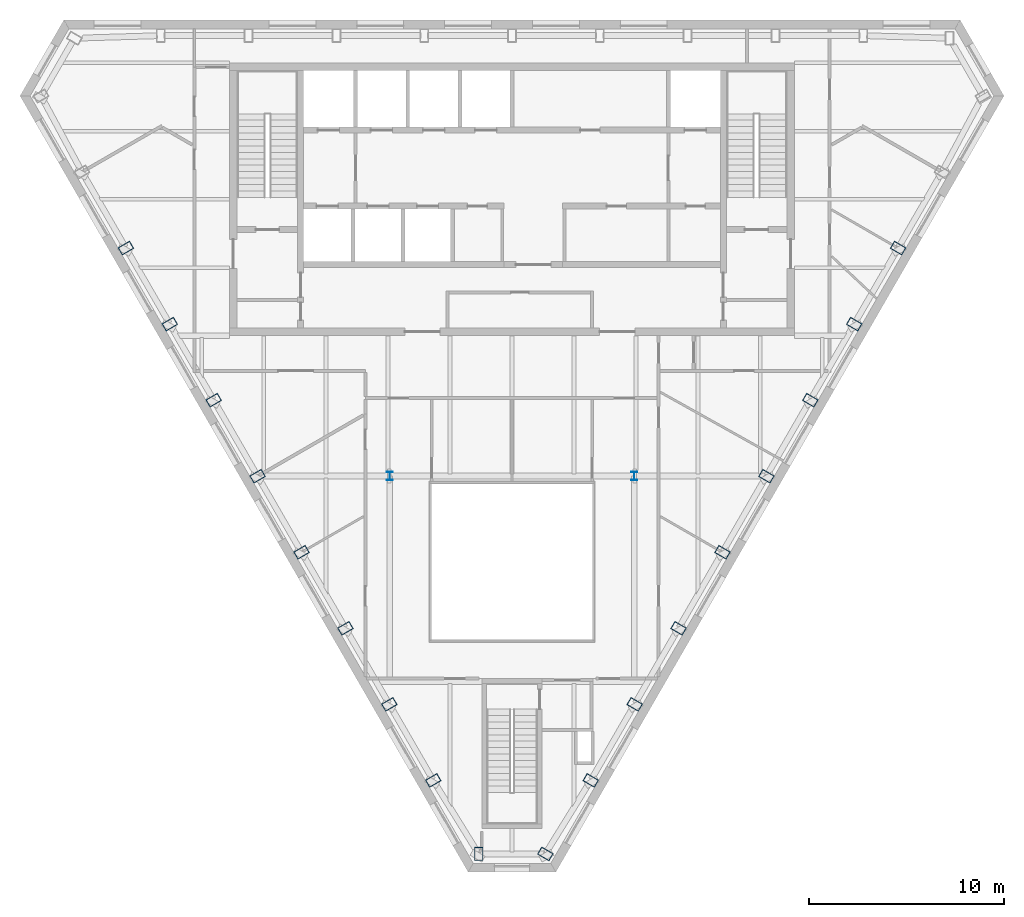
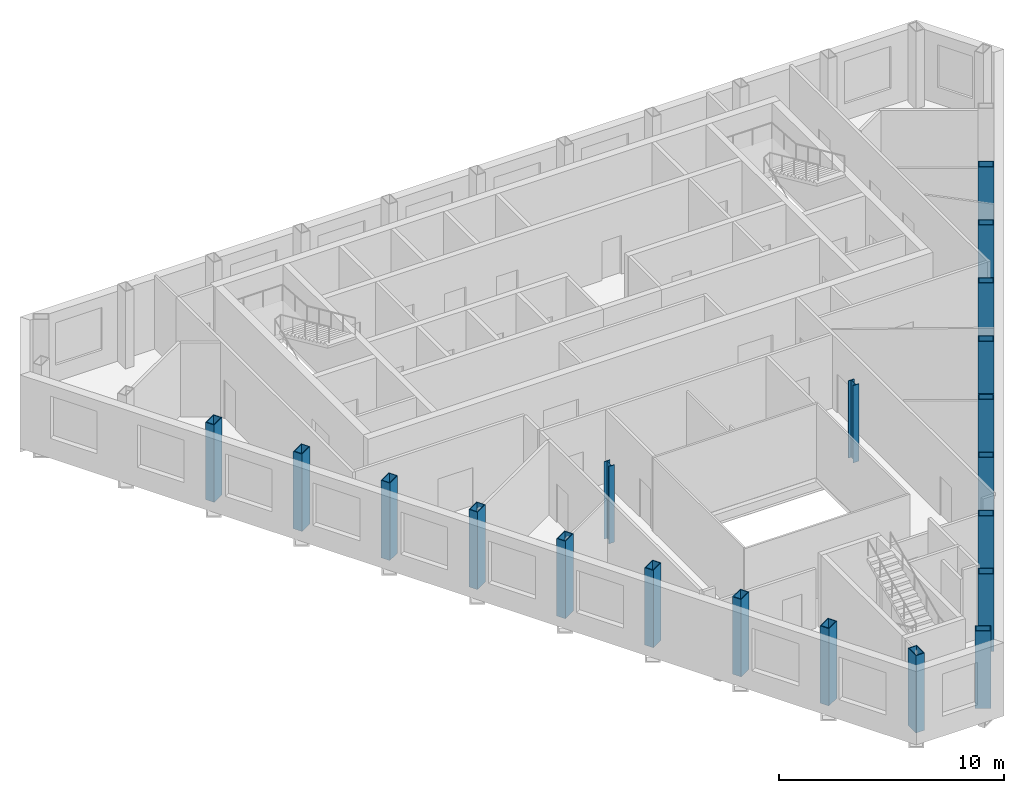
# One storey, part 1 of 11: 20 columns.
"""IFC4 building model written with IfcOpenShell, lengths in metres."""

import ifcopenshell
import ifcopenshell.guid

model = None  # the IFC model being written
_history = None  # IfcOwnerHistory: only IFC2X3 demands one
_inside = {}  # id of a spatial element -> (the spatial element, [elements in it])
_under = {}  # id of a project, library or spatial element -> (it, [spatial elements below it])
_declared = {}  # id of a project -> (the project, [libraries it declares])
_typed = {}  # id of a type object -> (the type object, [elements of that type])
_made_of = {}  # id of a material, layer set ... -> (it, [elements and type objects made of it])


def new_model(schema):
    """Start an empty IFC model of exactly this schema.

    Asked for "IFC4X3", IfcOpenShell would pick the latest addendum, in which some entities
    have other attributes; the version numbers below select the first issue.
    IFC2X3 requires an IfcOwnerHistory on every rooted entity: one is made here for all.
    """
    global model, _history
    if schema == "IFC4X3":
        model = ifcopenshell.file(schema_version=(4, 3, 0, 0))
    else:
        model = ifcopenshell.file(schema=schema)
    _inside.clear()
    _under.clear()
    _declared.clear()
    _typed.clear()
    _made_of.clear()
    _history = None
    if model.schema == "IFC2X3":
        org = make("IfcOrganization", Name="unknown")
        user = make(
            "IfcPersonAndOrganization",
            ThePerson=make("IfcPerson", FamilyName="unknown"),
            TheOrganization=org,
        )
        app = make(
            "IfcApplication",
            ApplicationDeveloper=org,
            Version="unknown",
            ApplicationFullName="unknown",
            ApplicationIdentifier="unknown",
        )
        _history = make(
            "IfcOwnerHistory",
            OwningUser=user,
            OwningApplication=app,
            ChangeAction="ADDED",
            CreationDate=0,
        )
    return model


def make(cls, **values):
    """One entity of the class cls with the attributes given. An attribute that is None is left unset."""
    return model.create_entity(
        cls, **{name: value for name, value in values.items() if value is not None}
    )


def rooted(cls, **values):
    """An entity with a GlobalId (a new one), such as an element, a storey or a relation."""
    return make(cls, GlobalId=ifcopenshell.guid.new(), OwnerHistory=_history, **values)


def si_unit(unit_type, name, prefix=None):
    """IfcSIUnit, for example si_unit("LENGTHUNIT", "METRE", prefix="MILLI")."""
    return make("IfcSIUnit", UnitType=unit_type, Prefix=prefix, Name=name)


def assignment(units):
    """IfcUnitAssignment: the units of a project."""
    return None if units is None else make("IfcUnitAssignment", Units=units)


def point(xyz):
    """IfcCartesianPoint."""
    return None if xyz is None else make("IfcCartesianPoint", Coordinates=xyz)


def direction(xyz):
    """IfcDirection."""
    return None if xyz is None else make("IfcDirection", DirectionRatios=xyz)


def frame(location, z_axis=None, x_axis=None):
    """IfcAxis2Placement3D, a coordinate frame: its origin and axes. An axis left out is left unset."""
    return make(
        "IfcAxis2Placement3D",
        Location=point(location),
        Axis=direction(z_axis),
        RefDirection=direction(x_axis),
    )


def frame_2d(location, x_axis=None):
    """IfcAxis2Placement2D, a coordinate frame in the plane: its origin and x axis."""
    return make(
        "IfcAxis2Placement2D", Location=point(location), RefDirection=direction(x_axis)
    )


def origin():
    """The frame at (0, 0, 0) with its axes left unset."""
    return frame((0.0, 0.0, 0.0))


def origin_2d():
    """The frame at (0, 0) in the plane with its x axis left unset."""
    return frame_2d((0.0, 0.0))


def place(relative_to, where):
    """IfcLocalPlacement: puts the frame where relative to a parent placement (None: the world)."""
    return make(
        "IfcLocalPlacement", PlacementRelTo=relative_to, RelativePlacement=where
    )


def context(
    kind, dimensions, precision=None, world=None, true_north=None, identifier=None
):
    """IfcGeometricRepresentationContext, for example the 3D "Model" context."""
    return make(
        "IfcGeometricRepresentationContext",
        ContextIdentifier=identifier,
        ContextType=kind,
        CoordinateSpaceDimension=dimensions,
        Precision=precision,
        WorldCoordinateSystem=world,
        TrueNorth=true_north,
    )


def subcontext(parent, identifier, kind, view, scale=None):
    """IfcGeometricRepresentationSubContext, for example "Body" below "Model"."""
    return make(
        "IfcGeometricRepresentationSubContext",
        ContextIdentifier=identifier,
        ContextType=kind,
        ParentContext=parent,
        TargetScale=scale,
        TargetView=view,
    )


def project(units=None, contexts=None):
    """IfcProject with its units and contexts."""
    return rooted(
        "IfcProject",
        Name="project",
        RepresentationContexts=contexts,
        UnitsInContext=assignment(units),
    )


def spatial(cls, under=None, at=None, **own):
    """A site, building, storey or space (cls), placed at a placement, below another one or the project."""
    s = rooted(cls, ObjectPlacement=at, **own)
    if under is not None:
        _under.setdefault(under.id(), (under, []))[1].append(s)
    return s


def profile(cls, at=None, kind="AREA", **sizes):
    """A parametric profile (cls). Its sizes go by their IFC names, for example OverallWidth=200.0."""
    return make(cls, ProfileType=kind, Position=at, **sizes)


def hollow_rectangle(**sizes):
    """IfcRectangleHollowProfileDef."""
    return profile("IfcRectangleHollowProfileDef", **sizes)


def i_section(**sizes):
    """IfcIShapeProfileDef."""
    return profile("IfcIShapeProfileDef", **sizes)


def extrude(swept, where, along, depth):
    """IfcExtrudedAreaSolid: the profile swept, set in the frame where, extruded along a direction by depth."""
    return make(
        "IfcExtrudedAreaSolid",
        SweptArea=swept,
        Position=where,
        ExtrudedDirection=direction(along),
        Depth=depth,
    )


def shape(context_of_items, identifier, shape_type, items):
    """IfcShapeRepresentation: the items that make up one representation, for example the "Body"."""
    return make(
        "IfcShapeRepresentation",
        ContextOfItems=context_of_items,
        RepresentationIdentifier=identifier,
        RepresentationType=shape_type,
        Items=items,
    )


def material(Name=None, Category=None):
    """IfcMaterial."""
    return make("IfcMaterial", Name=Name, Category=Category)


def material_profile(
    of_material, cross_section, Name=None, Category=None, Priority=None
):
    """IfcMaterialProfile: a cross section and its material."""
    return make(
        "IfcMaterialProfile",
        Name=Name,
        Material=of_material,
        Profile=cross_section,
        Priority=Priority,
        Category=Category,
    )


def profile_set(profiles, Name=None, composite=None):
    """IfcMaterialProfileSet."""
    return make(
        "IfcMaterialProfileSet",
        Name=Name,
        MaterialProfiles=profiles,
        CompositeProfile=composite,
    )


def made_of(thing, what):
    """Note that an element or type object is made of a material, layer set ...; save() writes the relation."""
    if what is not None:
        _made_of.setdefault(what.id(), (what, []))[1].append(thing)
    return thing


def type_object(cls, material=None, **own):
    """A type object (cls), such as IfcWallType, which elements share."""
    return made_of(rooted(cls, **own), material)


def element(
    cls,
    number,
    at=None,
    inside=None,
    cuts=None,
    type_object=None,
    material=None,
    context=None,
    identifier="Body",
    shape_type=None,
    held_by="IfcProductDefinitionShape",
    body=None,
    shapes=None,
    **own,
):
    """One element of the class cls, such as IfcWall. Its Tag is "e" and its number.

    at: its placement. inside: the storey or other place that contains it. cuts: it is an
    opening in that element (IfcRelVoidsElement). A single representation is given by context,
    identifier, shape_type and body (its items); several are given by shapes. held_by: the class
    of the entity that holds the representations. save() writes the other relations.
    """
    e = rooted(cls, Tag="e%d" % number, ObjectPlacement=at, **own)
    if body is not None:
        shapes = [shape(context, identifier, shape_type, body)]
    if shapes is not None:
        e.Representation = make(held_by, Representations=shapes)
    if inside is not None:
        _inside.setdefault(inside.id(), (inside, []))[1].append(e)
    if cuts is not None:
        rooted(
            "IfcRelVoidsElement", RelatingBuildingElement=cuts, RelatedOpeningElement=e
        )
    if type_object is not None:
        _typed.setdefault(type_object.id(), (type_object, []))[1].append(e)
    return made_of(e, material)


def aggregate(whole, parts):
    """IfcRelAggregates: a whole, such as a stair, and the parts it consists of."""
    return rooted("IfcRelAggregates", RelatingObject=whole, RelatedObjects=parts)


def save(model, path):
    """Write the relations noted so far, then the file.

    IfcRelAggregates (storeys below a building ...), IfcRelContainedInSpatialStructure (elements
    in a storey), IfcRelDefinesByType, IfcRelAssociatesMaterial and IfcRelDeclares: one each for
    every whole, place, type object, material and project.
    """
    for whole, parts in _under.values():
        aggregate(whole, parts)
    for where, things in _inside.values():
        rooted(
            "IfcRelContainedInSpatialStructure",
            RelatedElements=things,
            RelatingStructure=where,
        )
    for kind, things in _typed.values():
        rooted("IfcRelDefinesByType", RelatedObjects=things, RelatingType=kind)
    for what, things in _made_of.values():
        rooted("IfcRelAssociatesMaterial", RelatedObjects=things, RelatingMaterial=what)
    for by, libraries in _declared.values():
        rooted("IfcRelDeclares", RelatingContext=by, RelatedDefinitions=libraries)
    model.write(path)


model = new_model("IFC4")

# Units and contexts
model_context = context("Model", 3, precision=1e-05, world=origin(), true_north=direction((0.0, 1.0)))
body_context = subcontext(model_context, "Body", "Model", "MODEL_VIEW")
ifc_project = project(units=[si_unit("LENGTHUNIT", "METRE"), si_unit("AREAUNIT", "SQUARE_METRE"), si_unit("VOLUMEUNIT", "CUBIC_METRE"), si_unit("PLANEANGLEUNIT", "RADIAN"), si_unit("MASSUNIT", "GRAM", prefix="KILO")], contexts=[model_context])

# Site, building, storey
site_placement = place(None, origin())
site = spatial("IfcSite", under=ifc_project, at=site_placement, CompositionType="ELEMENT")
building_placement = place(site_placement, origin())
building = spatial("IfcBuilding", under=site, at=building_placement, Name="Njiva Tower", CompositionType="ELEMENT")
storey_placement = place(building_placement, frame((0.0, 0.0, 312.6)))
storey = spatial("IfcBuildingStorey", under=building, at=storey_placement, Name="L71", CompositionType="ELEMENT", Elevation=312.6)

# Columns
ifc_material = material(Name="Steel S355 J2", Category="steel")
ifc_material_profile_1 = material_profile(ifc_material, hollow_rectangle(XDim=0.45, YDim=0.7, WallThickness=0.04, at=origin_2d()), Name="BOX 700x450x40")
ifc_profile_set_1 = profile_set([ifc_material_profile_1], Name="Steel S355 J2")
column_type_1 = type_object("IfcColumnType", Name="C15 Perimeter tube column BOX 700x450x40", PredefinedType="COLUMN", material=ifc_profile_set_1)
for number, where, z_axis, x_axis, name in (
    (1, (-19.815, 8.497, 0.0), (0.0, 0.0, 1.0), (0.5, -0.866025403784, 0.0), "Perimeter tube column S24-C14"),
    (2, (-17.561, 4.594, 0.0), (0.0, 0.0, 1.0), (0.5, -0.866025403784, 0.0), "Perimeter tube column S24-C15"),
    (3, (-15.308, 0.691, 0.0), (0.0, 0.0, 1.0), (0.5, -0.866025403784, 0.0), "Perimeter tube column S24-C16"),
    (4, (-13.055, -3.211, 0.0), (0.0, 0.0, 1.0), (0.5, -0.866025403784, 0.0), "Perimeter tube column S24-C17"),
    (5, (-10.801, -7.114, 0.0), (0.0, 0.0, 1.0), (0.5, -0.866025403784, 0.0), "Perimeter tube column S24-C18"),
    (6, (-8.548, -11.017, 0.0), (0.0, 0.0, 1.0), (0.5, -0.866025403784, 0.0), "Perimeter tube column S24-C19"),
    (7, (-6.295, -14.92, 0.0), (0.0, 0.0, 1.0), (0.5, -0.866025403784, 0.0), "Perimeter tube column S24-C20"),
    (8, (-4.041, -18.823, 0.0), (0.0, 0.0, 1.0), (0.5, -0.866025403784, 0.0), "Perimeter tube column S24-C21"),
    (9, (-1.711, -22.593, 0.0), (0.0, 0.0, 1.0), (1.0, 0.0, 0.0), "Perimeter tube column S24-C22"),
    (10, (1.711, -22.593, 0.0), (0.0, 0.0, 1.0), (0.5, 0.866025403784, 0.0), "Perimeter tube column S24-C23"),
    (11, (4.041, -18.823, 0.0), (0.0, 0.0, 1.0), (0.5, 0.866025403784, 0.0), "Perimeter tube column S24-C24"),
    (12, (6.295, -14.92, 0.0), (0.0, 0.0, 1.0), (0.5, 0.866025403784, 0.0), "Perimeter tube column S24-C25"),
    (13, (8.548, -11.017, 0.0), (0.0, 0.0, 1.0), (0.5, 0.866025403784, 0.0), "Perimeter tube column S24-C26"),
    (14, (10.801, -7.114, 0.0), (0.0, 0.0, 1.0), (0.5, 0.866025403784, 0.0), "Perimeter tube column S24-C27"),
    (15, (13.055, -3.211, 0.0), (0.0, 0.0, 1.0), (0.5, 0.866025403784, 0.0), "Perimeter tube column S24-C28"),
    (16, (15.308, 0.691, 0.0), (0.0, 0.0, 1.0), (0.5, 0.866025403784, 0.0), "Perimeter tube column S24-C29"),
    (17, (17.561, 4.594, 0.0), (0.0, 0.0, 1.0), (0.5, 0.866025403784, 0.0), "Perimeter tube column S24-C30"),
    (18, (19.815, 8.497, 0.0), (0.0, 0.0, 1.0), (0.5, 0.866025403784, 0.0), "Perimeter tube column S24-C31"),
):
    element("IfcColumn", number, at=place(storey_placement, frame(where, z_axis=z_axis, x_axis=x_axis)), inside=storey, type_object=column_type_1, Name=name, PredefinedType="COLUMN", context=body_context, shape_type="SweptSolid", body=[
        extrude(hollow_rectangle(XDim=0.45, YDim=0.7, WallThickness=0.04, at=origin_2d()), origin(), (0.0, 0.0, 1.0), 4.2),
    ])
ifc_material_profile_2 = material_profile(ifc_material, i_section(OverallWidth=0.3, OverallDepth=0.45, WebThickness=0.014, FlangeThickness=0.026, at=origin_2d()), Name="HEB 450")
ifc_profile_set_2 = profile_set([ifc_material_profile_2], Name="Steel S355 J2")
column_type_2 = type_object("IfcColumnType", Name="C16 Interior column HEB 450", PredefinedType="COLUMN", material=ifc_profile_set_2)
for number, where, z_axis, x_axis, name in (
    (19, (6.27, -3.2, 0.0), (0.0, 0.0, 1.0), (1.0, 0.0, 0.0), "Interior column S24-C34"),
    (20, (-6.27, -3.2, 0.0), (0.0, 0.0, 1.0), (1.0, 0.0, 0.0), "Interior column S24-C35"),
):
    element("IfcColumn", number, at=place(storey_placement, frame(where, z_axis=z_axis, x_axis=x_axis)), inside=storey, type_object=column_type_2, Name=name, PredefinedType="COLUMN", context=body_context, shape_type="SweptSolid", body=[
        extrude(i_section(OverallWidth=0.3, OverallDepth=0.45, WebThickness=0.014, FlangeThickness=0.026, at=origin_2d()), origin(), (0.0, 0.0, 1.0), 4.2),
    ])

save(model, "model.ifc")
